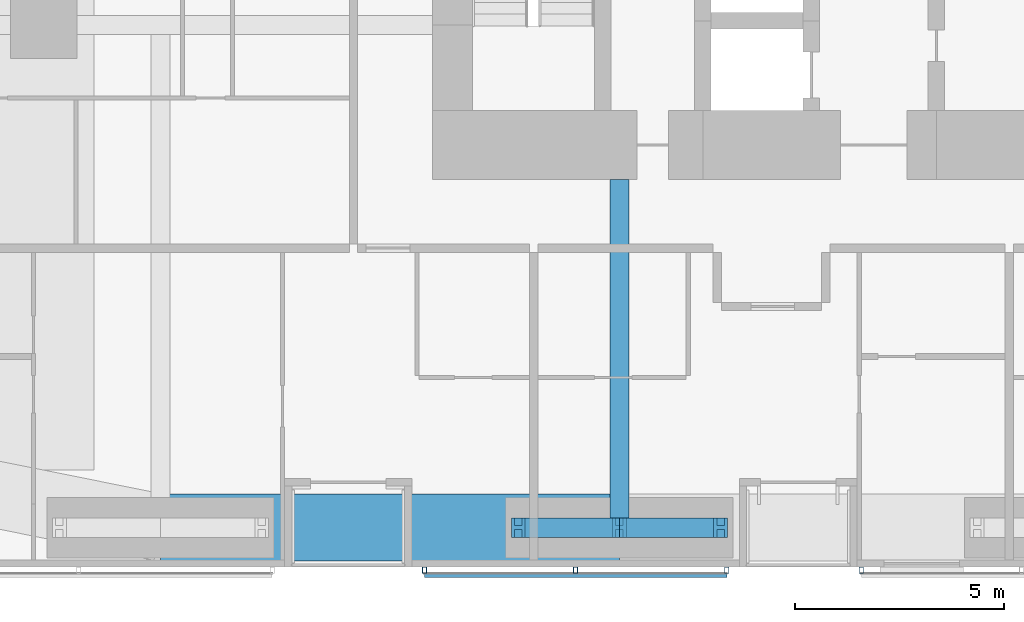
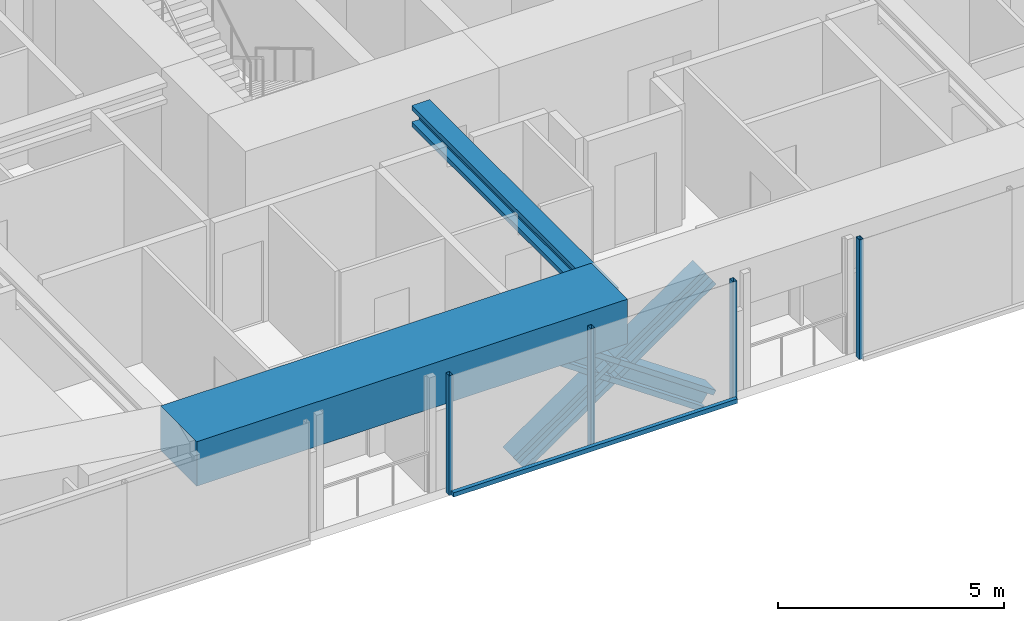
# One storey, part 4 of 23: 9 members, 2 beams, 2 elements without a shape of their own.
"""IFC4 building model written with IfcOpenShell, lengths in metres."""

from ifc_helpers import new_model, si_unit, direction, frame, origin, origin_2d, place, context, subcontext, project, spatial, rectangle, hollow_rectangle, i_section, extrude, material, material_profile, profile_set, type_object, element, aggregate, save


model = new_model("IFC4")

# Units and contexts
model_context = context("Model", 3, precision=1e-05, world=origin(), true_north=direction((0.0, 1.0)))
body_context = subcontext(model_context, "Body", "Model", "MODEL_VIEW")
ifc_project = project(units=[si_unit("LENGTHUNIT", "METRE"), si_unit("AREAUNIT", "SQUARE_METRE"), si_unit("VOLUMEUNIT", "CUBIC_METRE"), si_unit("PLANEANGLEUNIT", "RADIAN"), si_unit("MASSUNIT", "GRAM", prefix="KILO")], contexts=[model_context])

# Site, building, storey
site_placement = place(None, origin())
site = spatial("IfcSite", under=ifc_project, at=site_placement, CompositionType="ELEMENT")
building_placement = place(site_placement, origin())
building = spatial("IfcBuilding", under=site, at=building_placement, Name="Jalousie Tower", CompositionType="ELEMENT")
storey_placement = place(building_placement, frame((0.0, 0.0, 24.35009765625)))
storey = spatial("IfcBuildingStorey", under=building, at=storey_placement, Name="L05", CompositionType="ELEMENT", Elevation=24.35009765625)

# Beam
ifc_material_1 = material(Name="Steel ASTM A992 Grade 50", Category="steel")
ifc_material_profile_1 = material_profile(ifc_material_1, i_section(OverallWidth=0.45458984375, OverallDepth=0.569091796875, WebThickness=0.077880859375, FlangeThickness=0.124755859375, at=origin_2d()), Name="W14X730")
ifc_profile_set_1 = profile_set([ifc_material_profile_1], Name="Steel ASTM A992 Grade 50")
beam_type_1 = type_object("IfcBeamType", Name="LEAN COLLECTOR W14X730", PredefinedType="BEAM", material=ifc_profile_set_1)
beam_1_placement = place(storey_placement, frame((24.0, 0.949951171875, 2.825439453125), z_axis=(0.0, 1.0, 0.0), x_axis=(-1.0, 0.0, 0.0)))
element("IfcBeam", 1, at=beam_1_placement, inside=storey, type_object=beam_type_1, Name="Lean collector under L06", PredefinedType="BEAM", context=body_context, shape_type="SweptSolid", body=[
    extrude(i_section(OverallWidth=0.45458984375, OverallDepth=0.569091796875, WebThickness=0.077880859375, FlangeThickness=0.124755859375, at=origin_2d()), origin(), (0.0, 0.0, 1.0), 8.35009765625),
])

# Members
ifc_material_2 = material(Name="Steel ASTM A992 Grade 50", Category="steel")
ifc_material_profile_2 = material_profile(ifc_material_2, i_section(OverallWidth=0.472412109375, OverallDepth=0.5791015625, WebThickness=0.094970703125, FlangeThickness=0.1298828125, at=origin_2d()), Name="W14X808")
ifc_profile_set_2 = profile_set([ifc_material_profile_2], Name="Steel ASTM A992 Grade 50")
member_type_1 = type_object("IfcMemberType", Name="PERIMETER BRACE W14X808", PredefinedType="BRACE", material=ifc_profile_set_2)
for number, where, z_axis, x_axis, name in (
    (2, (21.574951171875, 0.949951171875, -0.60009765625), (0.822800062329, 0.0, 0.568330940062), (0.0, 1.0, 0.0), "Perimeter brace 03 L05 part 1"),
    (3, (24.0, 0.949951171875, 1.074951171875), (0.822800062329, 0.0, 0.568330940062), (0.0, 1.0, 0.0), "Perimeter brace 03 L05 part 2"),
    (4, (26.425048828125, 0.949951171875, -0.60009765625), (-0.822800062329, 0.0, 0.568330940062), (0.0, -1.0, 0.0), "Perimeter brace 03 L05 part 3"),
    (5, (24.0, 0.949951171875, 1.074951171875), (-0.822800062329, 0.0, 0.568330940062), (0.0, -1.0, 0.0), "Perimeter brace 03 L05 part 4"),
):
    element("IfcMember", number, at=place(storey_placement, frame(where, z_axis=z_axis, x_axis=x_axis)), inside=storey, type_object=member_type_1, Name=name, PredefinedType="BRACE", context=body_context, shape_type="SweptSolid", body=[
        extrude(i_section(OverallWidth=0.472412109375, OverallDepth=0.5791015625, WebThickness=0.094970703125, FlangeThickness=0.1298828125, at=origin_2d()), origin(), (0.0, 0.0, 1.0), 2.947265625),
    ])

# Beam
ifc_material_3 = material(Name="Concrete f'c 40 MPa", Category="concrete")
ifc_material_profile_3 = material_profile(ifc_material_3, rectangle(XDim=1.60009765625, YDim=1.199951171875, at=origin_2d()), Name="RC 1600x1200")
ifc_profile_set_3 = profile_set([ifc_material_profile_3], Name="Concrete f'c 40 MPa")
beam_type_2 = type_object("IfcBeamType", Name="RC BEAM 1600x1200", PredefinedType="BEAM", material=ifc_profile_set_3)
beam_2_placement = place(storey_placement, frame((13.0, 0.949951171875, 2.75), z_axis=(1.0, 0.0, 0.0), x_axis=(0.0, 1.0, 0.0)))
element("IfcBeam", 6, at=beam_2_placement, inside=storey, type_object=beam_type_2, Name="Edge band beam 02-03 under L06", PredefinedType="BEAM", context=body_context, shape_type="SweptSolid", body=[
    extrude(rectangle(XDim=1.60009765625, YDim=1.199951171875, at=origin_2d()), origin(), (0.0, 0.0, 1.0), 11.0),
])

# Curtain wall, members
ifc_material_4 = material(Name="Perforated aluminium sheet", Category="aluminium")
curtain_wall_type = type_object("IfcCurtainWallType", Name="SOLAR SCREEN SS-1", PredefinedType="USERDEFINED", material=ifc_material_4)
curtain_wall_1_placement = place(storey_placement, origin())
curtain_wall_1 = element("IfcCurtainWall", 7, at=curtain_wall_1_placement, inside=storey, type_object=curtain_wall_type, Name="Solar screen L05", ObjectType="SOLAR SCREEN SS-1", PredefinedType="USERDEFINED")
ifc_material_5 = material(Name="Steel ASTM A500 Grade C", Category="steel")
ifc_material_profile_4 = material_profile(ifc_material_5, hollow_rectangle(XDim=0.1015625, YDim=0.15234375, WallThickness=0.00634765625, at=origin_2d()), Name="HSS6X4X1/4")
ifc_profile_set_4 = profile_set([ifc_material_profile_4], Name="Steel ASTM A500 Grade C")
member_type_2 = type_object("IfcMemberType", Name="SOLAR SCREEN SS-1 MULLION", PredefinedType="MULLION", material=ifc_profile_set_4)
member_1_placement = place(storey_placement, frame((19.324951171875, -0.0712890625, -0.1201171875), z_axis=(0.0, 0.0, 1.0), x_axis=(1.0, 0.0, 0.0)))
member_1 = element("IfcMember", 8, at=member_1_placement, type_object=member_type_2, Name="SS1 post 1", PredefinedType="MULLION", context=body_context, shape_type="SweptSolid", body=[
    extrude(hollow_rectangle(XDim=0.1015625, YDim=0.15234375, WallThickness=0.00634765625, at=origin_2d()), origin(), (0.0, 0.0, 1.0), 3.22998046875),
])
member_2_placement = place(storey_placement, frame((22.949951171875, -0.0712890625, -0.1201171875), z_axis=(0.0, 0.0, 1.0), x_axis=(1.0, 0.0, 0.0)))
member_2 = element("IfcMember", 9, at=member_2_placement, type_object=member_type_2, Name="SS1 post 2", PredefinedType="MULLION", context=body_context, shape_type="SweptSolid", body=[
    extrude(hollow_rectangle(XDim=0.1015625, YDim=0.15234375, WallThickness=0.00634765625, at=origin_2d()), origin(), (0.0, 0.0, 1.0), 3.22998046875),
])
member_3_placement = place(storey_placement, frame((26.574951171875, -0.0712890625, -0.1201171875), z_axis=(0.0, 0.0, 1.0), x_axis=(1.0, 0.0, 0.0)))
member_3 = element("IfcMember", 10, at=member_3_placement, type_object=member_type_2, Name="SS1 post 3", PredefinedType="MULLION", context=body_context, shape_type="SweptSolid", body=[
    extrude(hollow_rectangle(XDim=0.1015625, YDim=0.15234375, WallThickness=0.00634765625, at=origin_2d()), origin(), (0.0, 0.0, 1.0), 3.22998046875),
])

# Curtain wall, member
curtain_wall_2_placement = place(storey_placement, origin())
curtain_wall_2 = element("IfcCurtainWall", 11, at=curtain_wall_2_placement, inside=storey, type_object=curtain_wall_type, Name="Solar screen L05", ObjectType="SOLAR SCREEN SS-1", PredefinedType="USERDEFINED")
member_4_placement = place(storey_placement, frame((29.800048828125, -0.0712890625, -0.1201171875), z_axis=(0.0, 0.0, 1.0), x_axis=(1.0, 0.0, 0.0)))
member_4 = element("IfcMember", 12, at=member_4_placement, type_object=member_type_2, Name="SS1 post 1", PredefinedType="MULLION", context=body_context, shape_type="SweptSolid", body=[
    extrude(hollow_rectangle(XDim=0.1015625, YDim=0.15234375, WallThickness=0.00634765625, at=origin_2d()), origin(), (0.0, 0.0, 1.0), 3.22998046875),
])
aggregate(curtain_wall_2, [member_4])

# Member
ifc_material_6 = material(Name="Extruded aluminium screen rail", Category="aluminium")
ifc_material_profile_5 = material_profile(ifc_material_6, rectangle(XDim=0.1015625, YDim=0.1201171875, at=origin_2d()), Name="RAIL 102x120")
ifc_profile_set_5 = profile_set([ifc_material_profile_5], Name="Extruded aluminium screen rail")
member_type_3 = type_object("IfcMemberType", Name="SOLAR SCREEN SS-1 TRANSOM", PredefinedType="USERDEFINED", material=ifc_profile_set_5)
member_5_placement = place(storey_placement, frame((19.324951171875, -0.1982421875, -0.06005859375), z_axis=(1.0, 0.0, 0.0), x_axis=(0.0, 1.0, 0.0)))
member_5 = element("IfcMember", 13, at=member_5_placement, type_object=member_type_3, Name="SS1 rail", ObjectType="TRANSOM", PredefinedType="USERDEFINED", context=body_context, shape_type="SweptSolid", body=[
    extrude(rectangle(XDim=0.1015625, YDim=0.1201171875, at=origin_2d()), origin(), (0.0, 0.0, 1.0), 7.25),
])

aggregate(curtain_wall_1, [member_1, member_2, member_3, member_5])

save(model, "model.ifc")
